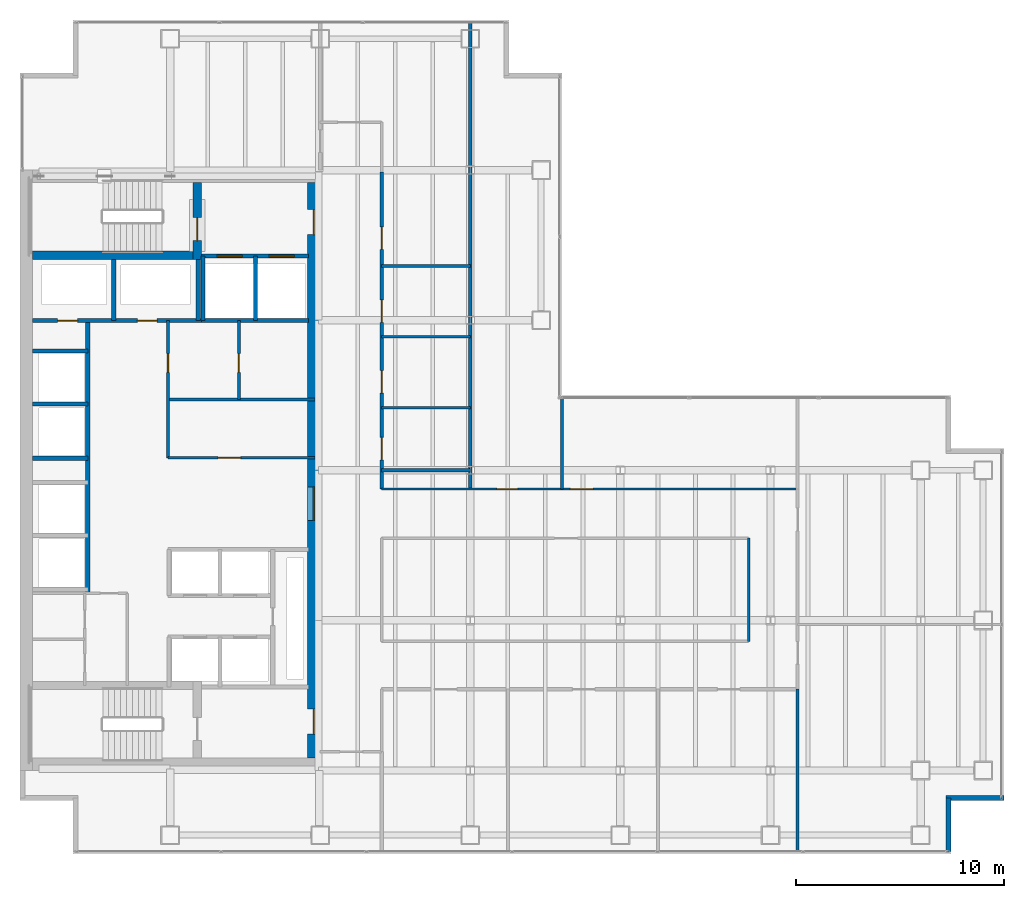
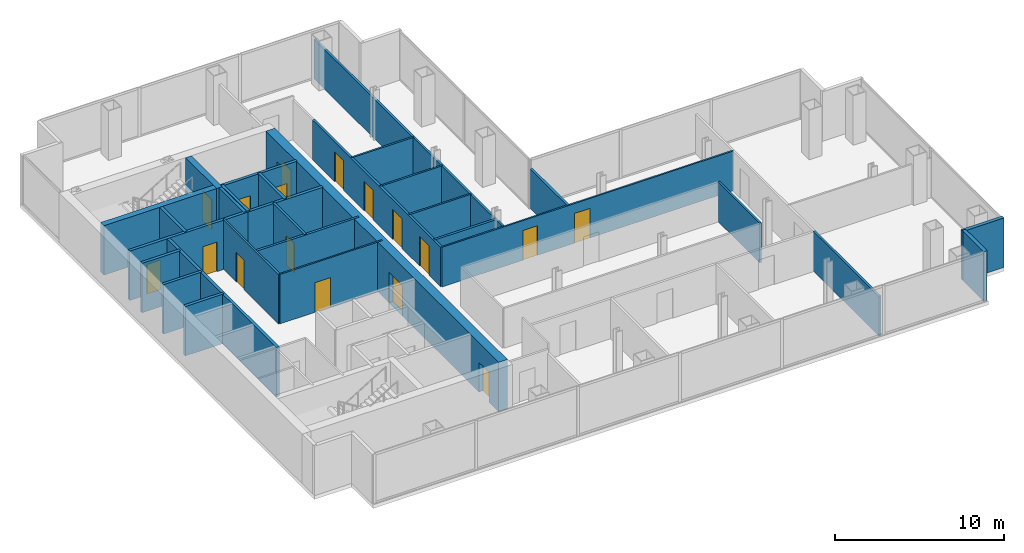
# One storey, part 21 of 23: 30 walls, 17 doors, 17 openings.
"""IFC4 building model written with IfcOpenShell, lengths in metres."""

from ifc_helpers import new_model, si_unit, direction, frame, frame_2d, origin, place, context, subcontext, project, spatial, rectangle, extrude, material, layer, layer_set, type_object, element, fill, save


model = new_model("IFC4")

# Units and contexts
model_context = context("Model", 3, precision=1e-05, world=origin(), true_north=direction((0.0, 1.0)))
body_context = subcontext(model_context, "Body", "Model", "MODEL_VIEW")
ifc_project = project(units=[si_unit("LENGTHUNIT", "METRE"), si_unit("AREAUNIT", "SQUARE_METRE"), si_unit("VOLUMEUNIT", "CUBIC_METRE"), si_unit("PLANEANGLEUNIT", "RADIAN"), si_unit("MASSUNIT", "GRAM", prefix="KILO")], contexts=[model_context])

# Site, building, storey
site_placement = place(None, origin())
site = spatial("IfcSite", under=ifc_project, at=site_placement, CompositionType="ELEMENT")
building_placement = place(site_placement, origin())
building = spatial("IfcBuilding", under=site, at=building_placement, Name="Cobrela Telecom Tower", CompositionType="ELEMENT")
storey_placement = place(building_placement, frame((0.0, 0.0, 133.0)))
storey = spatial("IfcBuildingStorey", under=building, at=storey_placement, Name="L33", CompositionType="ELEMENT", Elevation=133.0)

# Wall, openings, doors
ifc_material_1 = material(Name="Concrete C50/60", Category="concrete")
ifc_layer_1 = layer(ifc_material_1, 0.60009765625)
ifc_layer_set_1 = layer_set([ifc_layer_1], Name="Concrete C50/60")
wall_type_1 = type_object("IfcWallType", Name="WALL-CORE-C50-600", PredefinedType="SHEAR", material=ifc_layer_set_1)
wall_1_placement = place(storey_placement, frame((14.10009765625, 35.39990234375, 0.0), z_axis=(0.0, 0.0, 1.0), x_axis=(0.0, -1.0, 0.0)))
wall_1 = element("IfcWall", 1, at=wall_1_placement, inside=storey, type_object=wall_type_1, Name="L33 East Core Shear Wall", PredefinedType="SHEAR", context=body_context, shape_type="SweptSolid", body=[
    extrude(rectangle(XDim=27.599853515625, YDim=0.60009765625, at=frame_2d((13.7998046875, 0.0))), origin(), (0.0, 0.0, 1.0), 3.580078125),
])
opening_1_placement = place(wall_1_placement, frame((1.300048828125, 0.0, 0.0)))
opening_1 = element("IfcOpeningElement", 2, at=opening_1_placement, cuts=wall_1, Name="Opening DR-19", PredefinedType="OPENING", context=body_context, shape_type="SweptSolid", body=[
    extrude(rectangle(XDim=1.199951171875, YDim=2.14990234375, at=frame_2d((0.60009765625, 1.074951171875))), frame((0.0, 0.31201171875, 0.0), z_axis=(0.0, -1.0, 0.0), x_axis=(1.0, 0.0, 0.0)), (0.0, 0.0, 1.0), 0.6240234375),
])
opening_2_placement = place(wall_1_placement, frame((25.25, 0.0, 0.0)))
opening_2 = element("IfcOpeningElement", 3, at=opening_2_placement, cuts=wall_1, Name="Opening DR-19", PredefinedType="OPENING", context=body_context, shape_type="SweptSolid", body=[
    extrude(rectangle(XDim=1.199951171875, YDim=2.14990234375, at=frame_2d((0.60009765625, 1.074951171875))), frame((0.0, 0.31201171875, 0.0), z_axis=(0.0, -1.0, 0.0), x_axis=(1.0, 0.0, 0.0)), (0.0, 0.0, 1.0), 0.6240234375),
])
opening_3_placement = place(wall_1_placement, frame((14.60009765625, 0.0, 0.0)))
opening_3 = element("IfcOpeningElement", 4, at=opening_3_placement, cuts=wall_1, Name="Opening DR-51", PredefinedType="OPENING", context=body_context, shape_type="SweptSolid", body=[
    extrude(rectangle(XDim=1.60009765625, YDim=2.199951171875, at=frame_2d((0.800048828125, 1.10009765625))), frame((0.0, 0.31201171875, 0.0), z_axis=(0.0, -1.0, 0.0), x_axis=(1.0, 0.0, 0.0)), (0.0, 0.0, 1.0), 0.6240234375),
])
ifc_material_2 = material(Name="Steel ASTM A36", Category="steel")
door_type_1 = type_object("IfcDoorType", Name="DOOR-FD60-1200", OperationType="SINGLE_SWING_LEFT", PredefinedType="DOOR", material=ifc_material_2)
door_1_placement = place(opening_1_placement, origin())
door_1 = element("IfcDoor", 5, at=door_1_placement, inside=storey, type_object=door_type_1, Name="L33 Door DR-19", OperationType="SINGLE_SWING_LEFT", OverallHeight=2.14990234375, OverallWidth=1.199951171875, PredefinedType="DOOR", context=body_context, shape_type="SweptSolid", body=[
    extrude(rectangle(XDim=1.199951171875, YDim=2.14990234375, at=frame_2d((0.60009765625, 1.074951171875))), frame((0.0, 0.02490234375, 0.0), z_axis=(0.0, -1.0, 0.0), x_axis=(1.0, 0.0, 0.0)), (0.0, 0.0, 1.0), 0.050048828125),
])
fill(opening_1, door_1)
door_2_placement = place(opening_2_placement, origin())
door_2 = element("IfcDoor", 6, at=door_2_placement, inside=storey, type_object=door_type_1, Name="L33 Door DR-19", OperationType="SINGLE_SWING_RIGHT", OverallHeight=2.14990234375, OverallWidth=1.199951171875, PredefinedType="DOOR", context=body_context, shape_type="SweptSolid", body=[
    extrude(rectangle(XDim=1.199951171875, YDim=2.14990234375, at=frame_2d((0.60009765625, 1.074951171875))), frame((0.0, 0.02490234375, 0.0), z_axis=(0.0, -1.0, 0.0), x_axis=(1.0, 0.0, 0.0)), (0.0, 0.0, 1.0), 0.050048828125),
])
fill(opening_2, door_2)
door_type_2 = type_object("IfcDoorType", Name="DOOR-FD60-1600", OperationType="SINGLE_SWING_LEFT", PredefinedType="DOOR", material=ifc_material_2)
door_3_placement = place(opening_3_placement, origin())
door_3 = element("IfcDoor", 7, at=door_3_placement, inside=storey, type_object=door_type_2, Name="L33 Door DR-51", OperationType="DOUBLE_DOOR_SINGLE_SWING", OverallHeight=2.199951171875, OverallWidth=1.60009765625, PredefinedType="DOOR", context=body_context, shape_type="SweptSolid", body=[
    extrude(rectangle(XDim=1.60009765625, YDim=2.199951171875, at=frame_2d((0.800048828125, 1.10009765625))), frame((0.0, 0.02490234375, 0.0), z_axis=(0.0, -1.0, 0.0), x_axis=(1.0, 0.0, 0.0)), (0.0, 0.0, 1.0), 0.050048828125),
])
fill(opening_3, door_3)

# Walls
ifc_material_3 = material(Name="Concrete C40/50", Category="concrete")
ifc_layer_2 = layer(ifc_material_3, 0.239990234375)
ifc_layer_set_2 = layer_set([ifc_layer_2], Name="Concrete C40/50")
wall_type_2 = type_object("IfcWallType", Name="WALL-EXT-300", PredefinedType="STANDARD", material=ifc_layer_set_2)
wall_2_placement = place(storey_placement, frame((47.199951171875, 5.8701171875, 0.0), z_axis=(0.0, 0.0, 1.0), x_axis=(-1.0, 0.0, 0.0)))
element("IfcWall", 8, at=wall_2_placement, inside=storey, type_object=wall_type_2, Name="L33 Insulated Facade Wall 15", PredefinedType="STANDARD", context=body_context, shape_type="SweptSolid", body=[
    extrude(rectangle(XDim=2.7900390625, YDim=0.239990234375, at=frame_2d((1.39501953125, 0.0))), origin(), (0.0, 0.0, 1.0), 3.580078125),
])
wall_3_placement = place(storey_placement, frame((44.530029296875, 5.8701171875, 0.0), z_axis=(0.0, 0.0, 1.0), x_axis=(0.0, -1.0, 0.0)))
element("IfcWall", 9, at=wall_3_placement, inside=storey, type_object=wall_type_2, Name="L33 Insulated Facade Wall 16", PredefinedType="STANDARD", context=body_context, shape_type="SweptSolid", body=[
    extrude(rectangle(XDim=2.550048828125, YDim=0.239990234375, at=frame_2d((1.27490234375, 0.0))), origin(), (0.0, 0.0, 1.0), 3.580078125),
])

# Wall, opening, door
ifc_material_4 = material(Name="Fire-Rated Gypsum Plasterboard")
ifc_layer_3 = layer(ifc_material_4, 0.110107421875)
ifc_layer_set_3 = layer_set([ifc_layer_3], Name="Fire-Rated Gypsum Plasterboard")
wall_type_3 = type_object("IfcWallType", Name="WALL-PART-110", PredefinedType="PARTITIONING", material=ifc_layer_set_3)
wall_4_placement = place(storey_placement, frame((7.10009765625, 22.199951171875, 0.0), z_axis=(0.0, 0.0, 1.0), x_axis=(1.0, 0.0, 0.0)))
wall_4 = element("IfcWall", 10, at=wall_4_placement, inside=storey, type_object=wall_type_3, Name="L33 Interior Partition CW-RECL-S", PredefinedType="PARTITIONING", context=body_context, shape_type="SweptSolid", body=[
    extrude(rectangle(XDim=7.0498046875, YDim=0.110107421875, at=frame_2d((3.52490234375, 0.0))), origin(), (0.0, 0.0, 1.0), 3.580078125),
])
opening_4_placement = place(wall_4_placement, frame((2.39990234375, 0.0, 0.0)))
opening_4 = element("IfcOpeningElement", 11, at=opening_4_placement, cuts=wall_4, Name="Opening DR-63", PredefinedType="OPENING", context=body_context, shape_type="SweptSolid", body=[
    extrude(rectangle(XDim=1.080078125, YDim=2.14990234375, at=frame_2d((0.5400390625, 1.074951171875))), frame((0.0, 0.06689453125, 0.0), z_axis=(0.0, -1.0, 0.0), x_axis=(1.0, 0.0, 0.0)), (0.0, 0.0, 1.0), 0.134033203125),
])
ifc_material_5 = material(Name="Solid Engineered Oak Timber", Category="wood")
door_type_3 = type_object("IfcDoorType", Name="DOOR-INT-1080", OperationType="SINGLE_SWING_LEFT", PredefinedType="DOOR", material=ifc_material_5)
door_4_placement = place(opening_4_placement, origin())
door_4 = element("IfcDoor", 12, at=door_4_placement, inside=storey, type_object=door_type_3, Name="L33 Door DR-63", OperationType="SINGLE_SWING_LEFT", OverallHeight=2.14990234375, OverallWidth=1.080078125, PredefinedType="DOOR", context=body_context, shape_type="SweptSolid", body=[
    extrude(rectangle(XDim=1.080078125, YDim=2.14990234375, at=frame_2d((0.5400390625, 1.074951171875))), frame((0.0, 0.02490234375, 0.0), z_axis=(0.0, -1.0, 0.0), x_axis=(1.0, 0.0, 0.0)), (0.0, 0.0, 1.0), 0.050048828125),
])
fill(opening_4, door_4)

# Wall, openings, doors
wall_5_placement = place(storey_placement, frame((17.35009765625, 20.699951171875, 0.0), z_axis=(0.0, 0.0, 1.0), x_axis=(1.0, 0.0, 0.0)))
wall_5 = element("IfcWall", 13, at=wall_5_placement, inside=storey, type_object=wall_type_3, Name="L33 Interior Partition W-UN-N", PredefinedType="PARTITIONING", context=body_context, shape_type="SweptSolid", body=[
    extrude(rectangle(XDim=19.949951171875, YDim=0.110107421875, at=frame_2d((9.97509765625, 0.0))), origin(), (0.0, 0.0, 1.0), 2.868896484375),
])
opening_5_placement = place(wall_5_placement, frame((5.52001953125, 0.0, 0.0)))
opening_5 = element("IfcOpeningElement", 14, at=opening_5_placement, cuts=wall_5, Name="Opening DR-31", PredefinedType="OPENING", context=body_context, shape_type="SweptSolid", body=[
    extrude(rectangle(XDim=1.0, YDim=2.14990234375, at=frame_2d((0.5, 1.074951171875))), frame((0.0, 0.06689453125, 0.0), z_axis=(0.0, -1.0, 0.0), x_axis=(1.0, 0.0, 0.0)), (0.0, 0.0, 1.0), 0.134033203125),
])
opening_6_placement = place(wall_5_placement, frame((9.050048828125, 0.0, 0.0)))
opening_6 = element("IfcOpeningElement", 15, at=opening_6_placement, cuts=wall_5, Name="Opening DR-63", PredefinedType="OPENING", context=body_context, shape_type="SweptSolid", body=[
    extrude(rectangle(XDim=1.080078125, YDim=2.14990234375, at=frame_2d((0.5400390625, 1.074951171875))), frame((0.0, 0.06689453125, 0.0), z_axis=(0.0, -1.0, 0.0), x_axis=(1.0, 0.0, 0.0)), (0.0, 0.0, 1.0), 0.134033203125),
])
door_type_4 = type_object("IfcDoorType", Name="DOOR-INT-1000", OperationType="SINGLE_SWING_LEFT", PredefinedType="DOOR", material=ifc_material_5)
door_5_placement = place(opening_5_placement, origin())
door_5 = element("IfcDoor", 16, at=door_5_placement, inside=storey, type_object=door_type_4, Name="L33 Door DR-31", OperationType="SINGLE_SWING_LEFT", OverallHeight=2.14990234375, OverallWidth=1.0, PredefinedType="DOOR", context=body_context, shape_type="SweptSolid", body=[
    extrude(rectangle(XDim=1.0, YDim=2.14990234375, at=frame_2d((0.5, 1.074951171875))), frame((0.0, 0.02490234375, 0.0), z_axis=(0.0, -1.0, 0.0), x_axis=(1.0, 0.0, 0.0)), (0.0, 0.0, 1.0), 0.050048828125),
])
fill(opening_5, door_5)
door_6_placement = place(opening_6_placement, origin())
door_6 = element("IfcDoor", 17, at=door_6_placement, inside=storey, type_object=door_type_3, Name="L33 Door DR-63", OperationType="SINGLE_SWING_RIGHT", OverallHeight=2.14990234375, OverallWidth=1.080078125, PredefinedType="DOOR", context=body_context, shape_type="SweptSolid", body=[
    extrude(rectangle(XDim=1.080078125, YDim=2.14990234375, at=frame_2d((0.5400390625, 1.074951171875))), frame((0.0, 0.02490234375, 0.0), z_axis=(0.0, -1.0, 0.0), x_axis=(1.0, 0.0, 0.0)), (0.0, 0.0, 1.0), 0.050048828125),
])
fill(opening_6, door_6)

# Walls
ifc_layer_4 = layer(ifc_material_4, 0.125)
ifc_layer_set_4 = layer_set([ifc_layer_4], Name="Fire-Rated Gypsum Plasterboard")
wall_type_4 = type_object("IfcWallType", Name="WALL-PART-125", PredefinedType="PARTITIONING", material=ifc_layer_set_4)
wall_6_placement = place(storey_placement, frame((34.949951171875, 13.39990234375, 0.0), z_axis=(0.0, 0.0, 1.0), x_axis=(0.0, 1.0, 0.0)))
element("IfcWall", 18, at=wall_6_placement, inside=storey, type_object=wall_type_4, Name="L33 Interior Partition W-ISL-E", PredefinedType="PARTITIONING", context=body_context, shape_type="SweptSolid", body=[
    extrude(rectangle(XDim=4.9501953125, YDim=0.125, at=frame_2d((2.47509765625, 0.0))), origin(), (0.0, 0.0, 1.0), 2.868896484375),
])
for number, where, z_axis, x_axis, name in (
    (19, (17.35009765625, 24.60009765625, 0.0), (0.0, 0.0, 1.0), (1.0, 0.0, 0.0), "L33 Interior Partition W-WC-1"),
    (20, (17.35009765625, 28.0, 0.0), (0.0, 0.0, 1.0), (1.0, 0.0, 0.0), "L33 Interior Partition W-WC-2"),
    (21, (17.35009765625, 31.39990234375, 0.0), (0.0, 0.0, 1.0), (1.0, 0.0, 0.0), "L33 Interior Partition W-WC-3"),
):
    element("IfcWall", number, at=place(storey_placement, frame(where, z_axis=z_axis, x_axis=x_axis)), inside=storey, type_object=wall_type_4, Name=name, PredefinedType="PARTITIONING", context=body_context, shape_type="SweptSolid", body=[
        extrude(rectangle(XDim=4.25, YDim=0.125, at=frame_2d((2.125, 0.0))), origin(), (0.0, 0.0, 1.0), 2.868896484375),
    ])

# Wall, opening, door
ifc_layer_5 = layer(ifc_material_4, 0.135009765625)
ifc_layer_set_5 = layer_set([ifc_layer_5], Name="Fire-Rated Gypsum Plasterboard")
wall_type_5 = type_object("IfcWallType", Name="WALL-PART-135", PredefinedType="PARTITIONING", material=ifc_layer_set_5)
wall_7_placement = place(storey_placement, frame((7.10009765625, 22.199951171875, 0.0), z_axis=(0.0, 0.0, 1.0), x_axis=(0.0, 1.0, 0.0)))
wall_7 = element("IfcWall", 22, at=wall_7_placement, inside=storey, type_object=wall_type_5, Name="L33 Interior Partition CW-RECL-W", PredefinedType="PARTITIONING", context=body_context, shape_type="SweptSolid", body=[
    extrude(rectangle(XDim=6.580078125, YDim=0.135009765625, at=frame_2d((3.2900390625, 0.0))), origin(), (0.0, 0.0, 1.0), 3.580078125),
])
opening_7_placement = place(wall_7_placement, frame((4.10009765625, 0.0, 0.0)))
opening_7 = element("IfcOpeningElement", 23, at=opening_7_placement, cuts=wall_7, Name="Opening DR-41", PredefinedType="OPENING", context=body_context, shape_type="SweptSolid", body=[
    extrude(rectangle(XDim=0.89990234375, YDim=2.14990234375, at=frame_2d((0.449951171875, 1.074951171875))), frame((0.0, 0.07958984375, 0.0), z_axis=(0.0, -1.0, 0.0), x_axis=(1.0, 0.0, 0.0)), (0.0, 0.0, 1.0), 0.158935546875),
])
door_type_5 = type_object("IfcDoorType", Name="DOOR-INT-900", OperationType="SINGLE_SWING_LEFT", PredefinedType="DOOR", material=ifc_material_5)
door_7_placement = place(opening_7_placement, origin())
door_7 = element("IfcDoor", 24, at=door_7_placement, inside=storey, type_object=door_type_5, Name="L33 Door DR-41", OperationType="SINGLE_SWING_RIGHT", OverallHeight=2.14990234375, OverallWidth=0.89990234375, PredefinedType="DOOR", context=body_context, shape_type="SweptSolid", body=[
    extrude(rectangle(XDim=0.89990234375, YDim=2.14990234375, at=frame_2d((0.449951171875, 1.074951171875))), frame((0.0, 0.02490234375, 0.0), z_axis=(0.0, -1.0, 0.0), x_axis=(1.0, 0.0, 0.0)), (0.0, 0.0, 1.0), 0.050048828125),
])
fill(opening_7, door_7)

ifc_layer_6 = layer(ifc_material_4, 0.14990234375)
ifc_layer_set_6 = layer_set([ifc_layer_6], Name="Fire-Rated Gypsum Plasterboard")
wall_type_6 = type_object("IfcWallType", Name="WALL-PART-150", PredefinedType="PARTITIONING", material=ifc_layer_set_6)
wall_8_placement = place(storey_placement, frame((10.5, 25.0, 0.0), z_axis=(0.0, 0.0, 1.0), x_axis=(0.0, 1.0, 0.0)))
wall_8 = element("IfcWall", 25, at=wall_8_placement, inside=storey, type_object=wall_type_6, Name="L33 Interior Partition CW-RECL-VN", PredefinedType="PARTITIONING", context=body_context, shape_type="SweptSolid", body=[
    extrude(rectangle(XDim=3.780029296875, YDim=0.14990234375, at=frame_2d((1.89013671875, 0.0))), origin(), (0.0, 0.0, 1.0), 3.580078125),
])
opening_8_placement = place(wall_8_placement, frame((1.300048828125, 0.0, 0.0)))
opening_8 = element("IfcOpeningElement", 26, at=opening_8_placement, cuts=wall_8, Name="Opening DR-41", PredefinedType="OPENING", context=body_context, shape_type="SweptSolid", body=[
    extrude(rectangle(XDim=0.89990234375, YDim=2.14990234375, at=frame_2d((0.449951171875, 1.074951171875))), frame((0.0, 0.0869140625, 0.0), z_axis=(0.0, -1.0, 0.0), x_axis=(1.0, 0.0, 0.0)), (0.0, 0.0, 1.0), 0.173828125),
])
door_8_placement = place(opening_8_placement, origin())
door_8 = element("IfcDoor", 27, at=door_8_placement, inside=storey, type_object=door_type_5, Name="L33 Door DR-41", OperationType="SINGLE_SWING_LEFT", OverallHeight=2.14990234375, OverallWidth=0.89990234375, PredefinedType="DOOR", context=body_context, shape_type="SweptSolid", body=[
    extrude(rectangle(XDim=0.89990234375, YDim=2.14990234375, at=frame_2d((0.449951171875, 1.074951171875))), frame((0.0, 0.02490234375, 0.0), z_axis=(0.0, -1.0, 0.0), x_axis=(1.0, 0.0, 0.0)), (0.0, 0.0, 1.0), 0.050048828125),
])
fill(opening_8, door_8)

# Walls
wall_9_placement = place(storey_placement, frame((21.60009765625, 20.699951171875, 0.0), z_axis=(0.0, 0.0, 1.0), x_axis=(0.0, 1.0, 0.0)))
element("IfcWall", 28, at=wall_9_placement, inside=storey, type_object=wall_type_6, Name="L33 Interior Partition W-WC-E", PredefinedType="PARTITIONING", context=body_context, shape_type="SweptSolid", body=[
    extrude(rectangle(XDim=22.380126953125, YDim=0.14990234375, at=frame_2d((11.18994140625, 0.0))), origin(), (0.0, 0.0, 1.0), 2.868896484375),
])
wall_10_placement = place(storey_placement, frame((37.300048828125, 3.320068359375, 0.0), z_axis=(0.0, 0.0, 1.0), x_axis=(0.0, 1.0, 0.0)))
element("IfcWall", 29, at=wall_10_placement, inside=storey, type_object=wall_type_6, Name="L33 Interior Partition W-UFE-S", PredefinedType="PARTITIONING", context=body_context, shape_type="SweptSolid", body=[
    extrude(rectangle(XDim=7.780029296875, YDim=0.14990234375, at=frame_2d((3.89013671875, 0.0))), origin(), (0.0, 0.0, 1.0), 2.868896484375),
])
ifc_layer_7 = layer(ifc_material_4, 0.159912109375)
ifc_layer_set_7 = layer_set([ifc_layer_7], Name="Fire-Rated Gypsum Plasterboard")
wall_type_7 = type_object("IfcWallType", Name="WALL-PART-160", PredefinedType="PARTITIONING", material=ifc_layer_set_7)
wall_11_placement = place(storey_placement, frame((7.10009765625, 25.0, 0.0), z_axis=(0.0, 0.0, 1.0), x_axis=(1.0, 0.0, 0.0)))
element("IfcWall", 30, at=wall_11_placement, inside=storey, type_object=wall_type_7, Name="L33 Interior Partition CW-RECL-H", PredefinedType="PARTITIONING", context=body_context, shape_type="SweptSolid", body=[
    extrude(rectangle(XDim=7.0498046875, YDim=0.159912109375, at=frame_2d((3.52490234375, 0.0))), origin(), (0.0, 0.0, 1.0), 3.580078125),
])

# Wall, openings, doors
wall_12_placement = place(storey_placement, frame((17.35009765625, 20.699951171875, 0.0), z_axis=(0.0, 0.0, 1.0), x_axis=(0.0, 1.0, 0.0)))
wall_12 = element("IfcWall", 31, at=wall_12_placement, inside=storey, type_object=wall_type_7, Name="L33 Interior Partition W-UW-E2", PredefinedType="PARTITIONING", context=body_context, shape_type="SweptSolid", body=[
    extrude(rectangle(XDim=15.199951171875, YDim=0.159912109375, at=frame_2d((7.60009765625, 0.0))), origin(), (0.0, 0.0, 1.0), 2.868896484375),
])
opening_9_placement = place(wall_12_placement, frame((1.39990234375, 0.0, 0.0)))
opening_9 = element("IfcOpeningElement", 32, at=opening_9_placement, cuts=wall_12, Name="Opening DR-63", PredefinedType="OPENING", context=body_context, shape_type="SweptSolid", body=[
    extrude(rectangle(XDim=1.080078125, YDim=2.14990234375, at=frame_2d((0.5400390625, 1.074951171875))), frame((0.0, 0.091796875, 0.0), z_axis=(0.0, -1.0, 0.0), x_axis=(1.0, 0.0, 0.0)), (0.0, 0.0, 1.0), 0.183837890625),
])
opening_10_placement = place(wall_12_placement, frame((4.60009765625, 0.0, 0.0)))
opening_10 = element("IfcOpeningElement", 33, at=opening_10_placement, cuts=wall_12, Name="Opening DR-63", PredefinedType="OPENING", context=body_context, shape_type="SweptSolid", body=[
    extrude(rectangle(XDim=1.080078125, YDim=2.14990234375, at=frame_2d((0.5400390625, 1.074951171875))), frame((0.0, 0.091796875, 0.0), z_axis=(0.0, -1.0, 0.0), x_axis=(1.0, 0.0, 0.0)), (0.0, 0.0, 1.0), 0.183837890625),
])
opening_11_placement = place(wall_12_placement, frame((8.0, 0.0, 0.0)))
opening_11 = element("IfcOpeningElement", 34, at=opening_11_placement, cuts=wall_12, Name="Opening DR-63", PredefinedType="OPENING", context=body_context, shape_type="SweptSolid", body=[
    extrude(rectangle(XDim=1.080078125, YDim=2.14990234375, at=frame_2d((0.5400390625, 1.074951171875))), frame((0.0, 0.091796875, 0.0), z_axis=(0.0, -1.0, 0.0), x_axis=(1.0, 0.0, 0.0)), (0.0, 0.0, 1.0), 0.183837890625),
])
opening_12_placement = place(wall_12_placement, frame((11.5, 0.0, 0.0)))
opening_12 = element("IfcOpeningElement", 35, at=opening_12_placement, cuts=wall_12, Name="Opening DR-63", PredefinedType="OPENING", context=body_context, shape_type="SweptSolid", body=[
    extrude(rectangle(XDim=1.080078125, YDim=2.14990234375, at=frame_2d((0.5400390625, 1.074951171875))), frame((0.0, 0.091796875, 0.0), z_axis=(0.0, -1.0, 0.0), x_axis=(1.0, 0.0, 0.0)), (0.0, 0.0, 1.0), 0.183837890625),
])
door_9_placement = place(opening_9_placement, origin())
door_9 = element("IfcDoor", 36, at=door_9_placement, inside=storey, type_object=door_type_3, Name="L33 Door DR-63", OperationType="SINGLE_SWING_LEFT", OverallHeight=2.14990234375, OverallWidth=1.080078125, PredefinedType="DOOR", context=body_context, shape_type="SweptSolid", body=[
    extrude(rectangle(XDim=1.080078125, YDim=2.14990234375, at=frame_2d((0.5400390625, 1.074951171875))), frame((0.0, 0.02490234375, 0.0), z_axis=(0.0, -1.0, 0.0), x_axis=(1.0, 0.0, 0.0)), (0.0, 0.0, 1.0), 0.050048828125),
])
fill(opening_9, door_9)
door_10_placement = place(opening_10_placement, origin())
door_10 = element("IfcDoor", 37, at=door_10_placement, inside=storey, type_object=door_type_3, Name="L33 Door DR-63", OperationType="SINGLE_SWING_RIGHT", OverallHeight=2.14990234375, OverallWidth=1.080078125, PredefinedType="DOOR", context=body_context, shape_type="SweptSolid", body=[
    extrude(rectangle(XDim=1.080078125, YDim=2.14990234375, at=frame_2d((0.5400390625, 1.074951171875))), frame((0.0, 0.02490234375, 0.0), z_axis=(0.0, -1.0, 0.0), x_axis=(1.0, 0.0, 0.0)), (0.0, 0.0, 1.0), 0.050048828125),
])
fill(opening_10, door_10)
door_11_placement = place(opening_11_placement, origin())
door_11 = element("IfcDoor", 38, at=door_11_placement, inside=storey, type_object=door_type_3, Name="L33 Door DR-63", OperationType="SINGLE_SWING_LEFT", OverallHeight=2.14990234375, OverallWidth=1.080078125, PredefinedType="DOOR", context=body_context, shape_type="SweptSolid", body=[
    extrude(rectangle(XDim=1.080078125, YDim=2.14990234375, at=frame_2d((0.5400390625, 1.074951171875))), frame((0.0, 0.02490234375, 0.0), z_axis=(0.0, -1.0, 0.0), x_axis=(1.0, 0.0, 0.0)), (0.0, 0.0, 1.0), 0.050048828125),
])
fill(opening_11, door_11)
door_12_placement = place(opening_12_placement, origin())
door_12 = element("IfcDoor", 39, at=door_12_placement, inside=storey, type_object=door_type_3, Name="L33 Door DR-63", OperationType="SINGLE_SWING_RIGHT", OverallHeight=2.14990234375, OverallWidth=1.080078125, PredefinedType="DOOR", context=body_context, shape_type="SweptSolid", body=[
    extrude(rectangle(XDim=1.080078125, YDim=2.14990234375, at=frame_2d((0.5400390625, 1.074951171875))), frame((0.0, 0.02490234375, 0.0), z_axis=(0.0, -1.0, 0.0), x_axis=(1.0, 0.0, 0.0)), (0.0, 0.0, 1.0), 0.050048828125),
])
fill(opening_12, door_12)

# Walls
wall_13_placement = place(storey_placement, frame((17.35009765625, 21.60009765625, 0.0), z_axis=(0.0, 0.0, 1.0), x_axis=(1.0, 0.0, 0.0)))
element("IfcWall", 40, at=wall_13_placement, inside=storey, type_object=wall_type_7, Name="L33 Interior Partition W-WC-B", PredefinedType="PARTITIONING", context=body_context, shape_type="SweptSolid", body=[
    extrude(rectangle(XDim=4.25, YDim=0.159912109375, at=frame_2d((2.125, 0.0))), origin(), (0.0, 0.0, 1.0), 2.868896484375),
])
wall_14_placement = place(storey_placement, frame((26.0, 20.699951171875, 0.0), z_axis=(0.0, 0.0, 1.0), x_axis=(0.0, 1.0, 0.0)))
element("IfcWall", 41, at=wall_14_placement, inside=storey, type_object=wall_type_7, Name="L33 Interior Partition W-UEN-W", PredefinedType="PARTITIONING", context=body_context, shape_type="SweptSolid", body=[
    extrude(rectangle(XDim=4.380126953125, YDim=0.159912109375, at=frame_2d((2.18994140625, 0.0))), origin(), (0.0, 0.0, 1.0), 2.868896484375),
])

# Wall, openings, doors
ifc_layer_8 = layer(ifc_material_4, 0.199951171875)
ifc_layer_set_8 = layer_set([ifc_layer_8], Name="Fire-Rated Gypsum Plasterboard")
wall_type_8 = type_object("IfcWallType", Name="WALL-SHAFT-200", PredefinedType="PARTITIONING", material=ifc_layer_set_8)
wall_15_placement = place(storey_placement, frame((8.699951171875, 31.8798828125, 0.0), z_axis=(0.0, 0.0, 1.0), x_axis=(1.0, 0.0, 0.0)))
wall_15 = element("IfcWall", 42, at=wall_15_placement, inside=storey, type_object=wall_type_8, Name="L33 Shaft Enclosure CW-FFL-S", PredefinedType="PARTITIONING", context=body_context, shape_type="SweptSolid", body=[
    extrude(rectangle(XDim=5.150146484375, YDim=0.199951171875, at=frame_2d((2.5751953125, 0.0))), origin(), (0.0, 0.0, 1.0), 3.580078125),
])
opening_13_placement = place(wall_15_placement, frame((0.75, 0.0, 0.0)))
opening_13 = element("IfcOpeningElement", 43, at=opening_13_placement, cuts=wall_15, Name="Opening LD-2", PredefinedType="OPENING", context=body_context, shape_type="SweptSolid", body=[
    extrude(rectangle(XDim=1.199951171875, YDim=2.199951171875, at=frame_2d((0.60009765625, 1.10009765625))), frame((0.0, 0.11181640625, 0.0), z_axis=(0.0, -1.0, 0.0), x_axis=(1.0, 0.0, 0.0)), (0.0, 0.0, 1.0), 0.223876953125),
])
opening_14_placement = place(wall_15_placement, frame((3.25, 0.0, 0.0)))
opening_14 = element("IfcOpeningElement", 44, at=opening_14_placement, cuts=wall_15, Name="Opening LD-2", PredefinedType="OPENING", context=body_context, shape_type="SweptSolid", body=[
    extrude(rectangle(XDim=1.199951171875, YDim=2.199951171875, at=frame_2d((0.60009765625, 1.10009765625))), frame((0.0, 0.11181640625, 0.0), z_axis=(0.0, -1.0, 0.0), x_axis=(1.0, 0.0, 0.0)), (0.0, 0.0, 1.0), 0.223876953125),
])
door_type_6 = type_object("IfcDoorType", Name="DOOR-LD-FFL", OperationType="SINGLE_SWING_LEFT", PredefinedType="DOOR", material=ifc_material_2)
door_13_placement = place(opening_13_placement, origin())
door_13 = element("IfcDoor", 45, at=door_13_placement, inside=storey, type_object=door_type_6, Name="L33 Lift Landing Door LD-2", OperationType="DOUBLE_DOOR_SLIDING", OverallHeight=2.199951171875, OverallWidth=1.199951171875, PredefinedType="DOOR", context=body_context, shape_type="SweptSolid", body=[
    extrude(rectangle(XDim=1.199951171875, YDim=2.199951171875, at=frame_2d((0.60009765625, 1.10009765625))), frame((0.0, 0.02490234375, 0.0), z_axis=(0.0, -1.0, 0.0), x_axis=(1.0, 0.0, 0.0)), (0.0, 0.0, 1.0), 0.050048828125),
])
fill(opening_13, door_13)
door_14_placement = place(opening_14_placement, origin())
door_14 = element("IfcDoor", 46, at=door_14_placement, inside=storey, type_object=door_type_6, Name="L33 Lift Landing Door LD-2", OperationType="DOUBLE_DOOR_SLIDING", OverallHeight=2.199951171875, OverallWidth=1.199951171875, PredefinedType="DOOR", context=body_context, shape_type="SweptSolid", body=[
    extrude(rectangle(XDim=1.199951171875, YDim=2.199951171875, at=frame_2d((0.60009765625, 1.10009765625))), frame((0.0, 0.02490234375, 0.0), z_axis=(0.0, -1.0, 0.0), x_axis=(1.0, 0.0, 0.0)), (0.0, 0.0, 1.0), 0.050048828125),
])
fill(opening_14, door_14)

# Walls
wall_16_placement = place(storey_placement, frame((8.699951171875, 28.780029296875, 0.0), z_axis=(0.0, 0.0, 1.0), x_axis=(1.0, 0.0, 0.0)))
element("IfcWall", 47, at=wall_16_placement, inside=storey, type_object=wall_type_8, Name="L33 Shaft Enclosure CW-FFL-S2", PredefinedType="PARTITIONING", context=body_context, shape_type="SweptSolid", body=[
    extrude(rectangle(XDim=5.150146484375, YDim=0.199951171875, at=frame_2d((2.5751953125, 0.0))), origin(), (0.0, 0.0, 1.0), 3.580078125),
])
for number, where, z_axis, x_axis, name in (
    (48, (8.780029296875, 28.780029296875, 0.0), (0.0, 0.0, 1.0), (0.0, 1.0, 0.0), "L33 Shaft Enclosure CW-FFL-W"),
    (49, (11.300048828125, 28.780029296875, 0.0), (0.0, 0.0, 1.0), (0.0, 1.0, 0.0), "L33 Shaft Enclosure CW-FFL-M"),
):
    element("IfcWall", number, at=place(storey_placement, frame(where, z_axis=z_axis, x_axis=x_axis)), inside=storey, type_object=wall_type_8, Name=name, PredefinedType="PARTITIONING", context=body_context, shape_type="SweptSolid", body=[
        extrude(rectangle(XDim=3.099853515625, YDim=0.199951171875, at=frame_2d((1.5498046875, 0.0))), origin(), (0.0, 0.0, 1.0), 3.580078125),
    ])

# Wall, openings, doors
wall_17_placement = place(storey_placement, frame((0.60009765625, 28.780029296875, 0.0), z_axis=(0.0, 0.0, 1.0), x_axis=(1.0, 0.0, 0.0)))
wall_17 = element("IfcWall", 50, at=wall_17_placement, inside=storey, type_object=wall_type_8, Name="L33 Shaft Enclosure CW-RIS-S", PredefinedType="PARTITIONING", context=body_context, shape_type="SweptSolid", body=[
    extrude(rectangle(XDim=8.179931640625, YDim=0.199951171875, at=frame_2d((4.08984375, 0.0))), origin(), (0.0, 0.0, 1.0), 3.580078125),
])
opening_15_placement = place(wall_17_placement, frame((1.2099609375, 0.0, 0.0)))
opening_15 = element("IfcOpeningElement", 51, at=opening_15_placement, cuts=wall_17, Name="Opening DR-65", PredefinedType="OPENING", context=body_context, shape_type="SweptSolid", body=[
    extrude(rectangle(XDim=0.949951171875, YDim=2.14990234375, at=frame_2d((0.47509765625, 1.074951171875))), frame((0.0, 0.11181640625, 0.0), z_axis=(0.0, -1.0, 0.0), x_axis=(1.0, 0.0, 0.0)), (0.0, 0.0, 1.0), 0.223876953125),
])
opening_16_placement = place(wall_17_placement, frame((5.030029296875, 0.0, 0.0)))
opening_16 = element("IfcOpeningElement", 52, at=opening_16_placement, cuts=wall_17, Name="Opening DR-65", PredefinedType="OPENING", context=body_context, shape_type="SweptSolid", body=[
    extrude(rectangle(XDim=0.949951171875, YDim=2.14990234375, at=frame_2d((0.47509765625, 1.074951171875))), frame((0.0, 0.11181640625, 0.0), z_axis=(0.0, -1.0, 0.0), x_axis=(1.0, 0.0, 0.0)), (0.0, 0.0, 1.0), 0.223876953125),
])
door_type_7 = type_object("IfcDoorType", Name="DOOR-FD60-950", OperationType="SINGLE_SWING_LEFT", PredefinedType="DOOR", material=ifc_material_2)
door_15_placement = place(opening_15_placement, origin())
door_15 = element("IfcDoor", 53, at=door_15_placement, inside=storey, type_object=door_type_7, Name="L33 Door DR-65", OperationType="SINGLE_SWING_LEFT", OverallHeight=2.14990234375, OverallWidth=0.949951171875, PredefinedType="DOOR", context=body_context, shape_type="SweptSolid", body=[
    extrude(rectangle(XDim=0.949951171875, YDim=2.14990234375, at=frame_2d((0.47509765625, 1.074951171875))), frame((0.0, 0.02490234375, 0.0), z_axis=(0.0, -1.0, 0.0), x_axis=(1.0, 0.0, 0.0)), (0.0, 0.0, 1.0), 0.050048828125),
])
fill(opening_15, door_15)
door_16_placement = place(opening_16_placement, origin())
door_16 = element("IfcDoor", 54, at=door_16_placement, inside=storey, type_object=door_type_7, Name="L33 Door DR-65", OperationType="SINGLE_SWING_RIGHT", OverallHeight=2.14990234375, OverallWidth=0.949951171875, PredefinedType="DOOR", context=body_context, shape_type="SweptSolid", body=[
    extrude(rectangle(XDim=0.949951171875, YDim=2.14990234375, at=frame_2d((0.47509765625, 1.074951171875))), frame((0.0, 0.02490234375, 0.0), z_axis=(0.0, -1.0, 0.0), x_axis=(1.0, 0.0, 0.0)), (0.0, 0.0, 1.0), 0.050048828125),
])
fill(opening_16, door_16)

# Walls
for number, where, z_axis, x_axis, name in (
    (55, (4.5, 28.780029296875, 0.0), (0.0, 0.0, 1.0), (0.0, 1.0, 0.0), "L33 Shaft Enclosure CW-RIS-M"),
    (56, (8.550048828125, 28.780029296875, 0.0), (0.0, 0.0, 1.0), (0.0, 1.0, 0.0), "L33 Shaft Enclosure CW-RIS-E"),
):
    element("IfcWall", number, at=place(storey_placement, frame(where, z_axis=z_axis, x_axis=x_axis)), inside=storey, type_object=wall_type_8, Name=name, PredefinedType="PARTITIONING", context=body_context, shape_type="SweptSolid", body=[
        extrude(rectangle(XDim=2.93994140625, YDim=0.199951171875, at=frame_2d((1.469970703125, 0.0))), origin(), (0.0, 0.0, 1.0), 3.580078125),
    ])
wall_18_placement = place(storey_placement, frame((3.25, 15.699951171875, 0.0), z_axis=(0.0, 0.0, 1.0), x_axis=(0.0, 1.0, 0.0)))
element("IfcWall", 57, at=wall_18_placement, inside=storey, type_object=wall_type_8, Name="L33 Shaft Enclosure CW-PLH-E", PredefinedType="PARTITIONING", context=body_context, shape_type="SweptSolid", body=[
    extrude(rectangle(XDim=13.080078125, YDim=0.199951171875, at=frame_2d((6.5400390625, 0.0))), origin(), (0.0, 0.0, 1.0), 3.580078125),
])
for number, where, z_axis, x_axis, name in (
    (58, (0.60009765625, 22.179931640625, 0.0), (0.0, 0.0, 1.0), (1.0, 0.0, 0.0), "L33 Shaft Enclosure CW-PLH-D11"),
    (59, (0.60009765625, 24.780029296875, 0.0), (0.0, 0.0, 1.0), (1.0, 0.0, 0.0), "L33 Shaft Enclosure CW-PLH-D12"),
    (60, (0.60009765625, 27.320068359375, 0.0), (0.0, 0.0, 1.0), (1.0, 0.0, 0.0), "L33 Shaft Enclosure CW-PLH-TOP"),
):
    element("IfcWall", number, at=place(storey_placement, frame(where, z_axis=z_axis, x_axis=x_axis)), inside=storey, type_object=wall_type_8, Name=name, PredefinedType="PARTITIONING", context=body_context, shape_type="SweptSolid", body=[
        extrude(rectangle(XDim=2.64990234375, YDim=0.199951171875, at=frame_2d((1.324951171875, 0.0))), origin(), (0.0, 0.0, 1.0), 3.580078125),
    ])
ifc_layer_9 = layer(ifc_material_3, 0.39990234375)
ifc_layer_set_9 = layer_set([ifc_layer_9], Name="Concrete C40/50")
wall_type_9 = type_object("IfcWallType", Name="WALL-SHAFT-C40-400", PredefinedType="SHEAR", material=ifc_layer_set_9)
wall_19_placement = place(storey_placement, frame((0.60009765625, 31.919921875, 0.0), z_axis=(0.0, 0.0, 1.0), x_axis=(1.0, 0.0, 0.0)))
element("IfcWall", 61, at=wall_19_placement, inside=storey, type_object=wall_type_9, Name="L33 North Stair Shear Wall", PredefinedType="SHEAR", context=body_context, shape_type="SweptSolid", body=[
    extrude(rectangle(XDim=7.699951171875, YDim=0.39990234375, at=frame_2d((3.85009765625, 0.0))), origin(), (0.0, 0.0, 1.0), 3.580078125),
])

# Wall, opening, door
wall_20_placement = place(storey_placement, frame((8.5, 31.719970703125, 0.0), z_axis=(0.0, 0.0, 1.0), x_axis=(0.0, 1.0, 0.0)))
wall_20 = element("IfcWall", 62, at=wall_20_placement, inside=storey, type_object=wall_type_9, Name="L33 North Stair Lobby Shear Wall", PredefinedType="SHEAR", context=body_context, shape_type="SweptSolid", body=[
    extrude(rectangle(XDim=3.679931640625, YDim=0.39990234375, at=frame_2d((1.83984375, 0.0))), origin(), (0.0, 0.0, 1.0), 3.580078125),
])
opening_17_placement = place(wall_20_placement, frame((0.89990234375, 0.0, 0.0)))
opening_17 = element("IfcOpeningElement", 63, at=opening_17_placement, cuts=wall_20, Name="Opening DR-59", PredefinedType="OPENING", context=body_context, shape_type="SweptSolid", body=[
    extrude(rectangle(XDim=1.10009765625, YDim=2.14990234375, at=frame_2d((0.550048828125, 1.074951171875))), frame((0.0, 0.2119140625, 0.0), z_axis=(0.0, -1.0, 0.0), x_axis=(1.0, 0.0, 0.0)), (0.0, 0.0, 1.0), 0.423828125),
])
door_type_8 = type_object("IfcDoorType", Name="DOOR-FD60-1100", OperationType="SINGLE_SWING_LEFT", PredefinedType="DOOR", material=ifc_material_2)
door_17_placement = place(opening_17_placement, origin())
door_17 = element("IfcDoor", 64, at=door_17_placement, inside=storey, type_object=door_type_8, Name="L33 Door DR-59", OperationType="SINGLE_SWING_RIGHT", OverallHeight=2.14990234375, OverallWidth=1.10009765625, PredefinedType="DOOR", context=body_context, shape_type="SweptSolid", body=[
    extrude(rectangle(XDim=1.10009765625, YDim=2.14990234375, at=frame_2d((0.550048828125, 1.074951171875))), frame((0.0, 0.02490234375, 0.0), z_axis=(0.0, -1.0, 0.0), x_axis=(1.0, 0.0, 0.0)), (0.0, 0.0, 1.0), 0.050048828125),
])
fill(opening_17, door_17)

save(model, "model.ifc")
